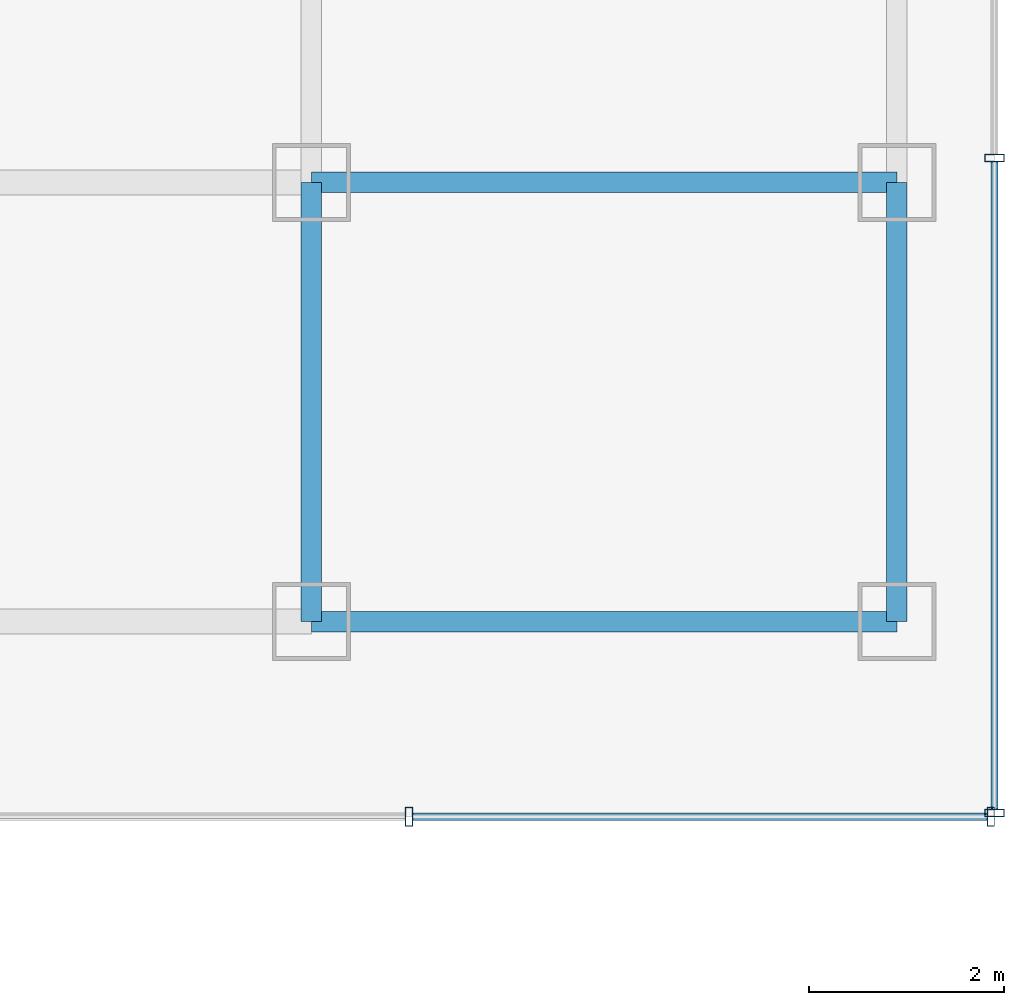
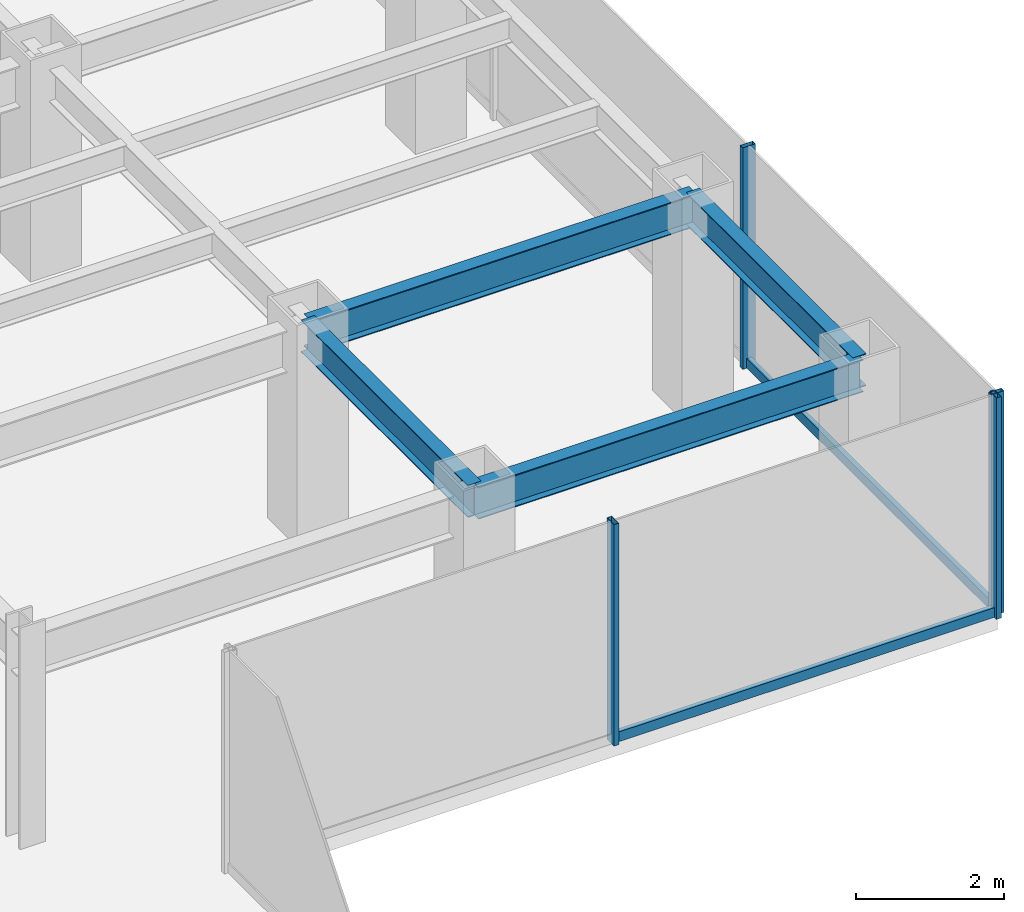
# One storey, part 10 of 26: 6 members, 4 beams, 2 elements without a shape of their own.
"""IFC4 building model written with IfcOpenShell, lengths in metres."""

from ifc_helpers import new_model, si_unit, derived_unit, direction, frame, origin, origin_2d, place, context, subcontext, project, spatial, hollow_rectangle, i_section, extrude, source, transform, mapped, material, material_profile, profile_set, type_object, element, aggregate, save


model = new_model("IFC4")

# Units and contexts
model_context = context("Model", 3, precision=1e-05, world=origin(), true_north=direction((0.0, 1.0)))
body_context = subcontext(model_context, "Body", "Model", "MODEL_VIEW")
ifc_project = project(units=[si_unit("LENGTHUNIT", "METRE"), si_unit("AREAUNIT", "SQUARE_METRE"), si_unit("VOLUMEUNIT", "CUBIC_METRE"), si_unit("PLANEANGLEUNIT", "RADIAN"), si_unit("MASSUNIT", "GRAM", prefix="KILO"), derived_unit("THERMALTRANSMITTANCEUNIT", [(si_unit("POWERUNIT", "WATT"), 1), (si_unit("LENGTHUNIT", "METRE"), -2), (si_unit("THERMODYNAMICTEMPERATUREUNIT", "KELVIN"), -1)])], contexts=[model_context])

# Site, building, storey
site_placement = place(None, origin())
site = spatial("IfcSite", under=ifc_project, at=site_placement, CompositionType="ELEMENT")
building_placement = place(site_placement, origin())
building = spatial("IfcBuilding", under=site, at=building_placement, Name="Skarnbrae Concourse Arena and Tower", CompositionType="ELEMENT")
storey_placement = place(building_placement, frame((0.0, 0.0, 128.800048828125)))
storey = spatial("IfcBuildingStorey", under=building, at=storey_placement, Name="L32", CompositionType="ELEMENT", Elevation=128.800048828125)

# Beams
ifc_material_1 = material(Name="Steel CSA G40.21 350W", Category="steel")
ifc_material_profile_1 = material_profile(ifc_material_1, i_section(OverallWidth=0.208984375, OverallDepth=0.532958984375, WebThickness=0.01025390625, FlangeThickness=0.015625, at=origin_2d()), Name="W530X92")
ifc_profile_set_1 = profile_set([ifc_material_profile_1], Name="Steel CSA G40.21 350W")
beam_type = type_object("IfcBeamType", Name="BM-SPAN-W530X92", PredefinedType="SPANDREL", material=ifc_profile_set_1)
shared_shape_1 = source(origin(), body_context, "Body", "SweptSolid", [
    extrude(i_section(OverallWidth=0.208984375, OverallDepth=0.532958984375, WebThickness=0.01025390625, FlangeThickness=0.015625, at=origin_2d()), origin(), (0.0, 0.0, 1.0), 6.0),
])
for number, where, z_axis, x_axis, name in (
    (1, (49.0, 9.5, 3.133544921875), (1.0, 0.0, 0.0), (0.0, 1.0, 0.0), "L32 Perimeter spandrel Y9.5-3"),
    (2, (49.0, 14.0, 3.133544921875), (1.0, 0.0, 0.0), (0.0, 1.0, 0.0), "L32 Perimeter spandrel Y14.0-8"),
):
    element("IfcBeam", number, at=place(storey_placement, frame(where, z_axis=z_axis, x_axis=x_axis)), inside=storey, type_object=beam_type, Name=name, PredefinedType="SPANDREL", context=body_context, shape_type="MappedRepresentation", body=[
        mapped(shared_shape_1, transform((0.0, 0.0, 0.0))),
    ])
shared_shape_2 = source(origin(), body_context, "Body", "SweptSolid", [
    extrude(i_section(OverallWidth=0.208984375, OverallDepth=0.532958984375, WebThickness=0.01025390625, FlangeThickness=0.015625, at=origin_2d()), origin(), (0.0, 0.0, 1.0), 4.5),
])
for number, where, z_axis, x_axis, name in (
    (3, (49.0, 9.5, 3.133544921875), (0.0, 1.0, 0.0), (-1.0, 0.0, 0.0), "L32 Perimeter spandrel X49.0-1"),
    (4, (55.0, 9.5, 3.133544921875), (0.0, 1.0, 0.0), (-1.0, 0.0, 0.0), "L32 Perimeter spandrel X55.0-1"),
):
    element("IfcBeam", number, at=place(storey_placement, frame(where, z_axis=z_axis, x_axis=x_axis)), inside=storey, type_object=beam_type, Name=name, PredefinedType="SPANDREL", context=body_context, shape_type="MappedRepresentation", body=[
        mapped(shared_shape_2, transform((0.0, 0.0, 0.0))),
    ])

# Curtain wall, members
ifc_material_2 = material(Name="Bronze anodised aluminium 6063-T6", Category="aluminium")
curtain_wall_type = type_object("IfcCurtainWallType", Name="CW-SYS-04-MIDZONE", PredefinedType="USERDEFINED", material=ifc_material_2)
curtain_wall_1_placement = place(storey_placement, origin())
curtain_wall_1 = element("IfcCurtainWall", 5, at=curtain_wall_1_placement, inside=storey, type_object=curtain_wall_type, Name="L32 Unitised curtain wall CW-L32-E03", ObjectType="UNITISED CURTAIN WALL", PredefinedType="USERDEFINED")
ifc_material_profile_2 = material_profile(ifc_material_2, hollow_rectangle(XDim=0.074951171875, YDim=0.159912109375, WallThickness=0.00439453125, at=origin_2d()), Name="ALU-TRAN-75X160")
ifc_profile_set_2 = profile_set([ifc_material_profile_2], Name="Bronze anodised aluminium 6063-T6")
member_type_1 = type_object("IfcMemberType", Name="CWT-CW-04", PredefinedType="USERDEFINED", material=ifc_profile_set_2)
shared_shape_3 = source(origin(), body_context, "Body", "SweptSolid", [
    extrude(hollow_rectangle(XDim=0.074951171875, YDim=0.159912109375, WallThickness=0.00439453125, at=origin_2d()), origin(), (0.0, 0.0, 1.0), 5.887451171875),
])
member_1_placement = place(storey_placement, frame((50.03759765625, 7.5, 0.079833984375), z_axis=(1.0, 0.0, 0.0), x_axis=(0.0, 1.0, 0.0)))
member_1 = element("IfcMember", 6, at=member_1_placement, type_object=member_type_1, Name="CW-L32-E03 Transom 2", ObjectType="TRANSOM", PredefinedType="USERDEFINED", context=body_context, shape_type="MappedRepresentation", body=[
    mapped(shared_shape_3, transform((0.0, 0.0, 0.0))),
])
ifc_material_profile_3 = material_profile(ifc_material_2, hollow_rectangle(XDim=0.074951171875, YDim=0.195068359375, WallThickness=0.00439453125, at=origin_2d()), Name="ALU-MULL-75X195")
ifc_profile_set_3 = profile_set([ifc_material_profile_3], Name="Bronze anodised aluminium 6063-T6")
member_type_2 = type_object("IfcMemberType", Name="CWM-CW-04", PredefinedType="MULLION", material=ifc_profile_set_3)
shared_shape_4 = source(origin(), body_context, "Body", "SweptSolid", [
    extrude(hollow_rectangle(XDim=0.074951171875, YDim=0.195068359375, WallThickness=0.00439453125, at=origin_2d()), origin(), (0.0, 0.0, 1.0), 3.64990234375),
])
member_2_placement = place(storey_placement, frame((50.0, 7.5, 0.0), z_axis=(0.0, 0.0, 1.0), x_axis=(1.0, 0.0, 0.0)))
member_2 = element("IfcMember", 7, at=member_2_placement, type_object=member_type_2, Name="CW-L32-E03 Mullion 2", PredefinedType="MULLION", context=body_context, shape_type="MappedRepresentation", body=[
    mapped(shared_shape_4, transform((0.0, 0.0, 0.0))),
])
member_3_placement = place(storey_placement, frame((55.96240234375, 7.5, 0.0), z_axis=(0.0, 0.0, 1.0), x_axis=(1.0, 0.0, 0.0)))
member_3 = element("IfcMember", 8, at=member_3_placement, type_object=member_type_2, Name="CW-L32-E03 Mullion 3", PredefinedType="MULLION", context=body_context, shape_type="MappedRepresentation", body=[
    mapped(shared_shape_4, transform((0.0, 0.0, 0.0))),
])
aggregate(curtain_wall_1, [member_2, member_3, member_1])

curtain_wall_2_placement = place(storey_placement, origin())
curtain_wall_2 = element("IfcCurtainWall", 9, at=curtain_wall_2_placement, inside=storey, type_object=curtain_wall_type, Name="L32 Unitised curtain wall CW-L32-E04", ObjectType="UNITISED CURTAIN WALL", PredefinedType="USERDEFINED")
member_4_placement = place(storey_placement, frame((56.0, 7.53759765625, 0.0), z_axis=(0.0, 0.0, 1.0), x_axis=(0.0, 1.0, 0.0)))
member_4 = element("IfcMember", 10, at=member_4_placement, type_object=member_type_2, Name="CW-L32-E04 Mullion 1", PredefinedType="MULLION", context=body_context, shape_type="MappedRepresentation", body=[
    mapped(shared_shape_4, transform((0.0, 0.0, 0.0))),
])
member_5_placement = place(storey_placement, frame((56.0, 14.25, 0.0), z_axis=(0.0, 0.0, 1.0), x_axis=(0.0, 1.0, 0.0)))
member_5 = element("IfcMember", 11, at=member_5_placement, type_object=member_type_2, Name="CW-L32-E04 Mullion 2", PredefinedType="MULLION", context=body_context, shape_type="MappedRepresentation", body=[
    mapped(shared_shape_4, transform((0.0, 0.0, 0.0))),
])
shared_shape_5 = source(origin(), body_context, "Body", "SweptSolid", [
    extrude(hollow_rectangle(XDim=0.074951171875, YDim=0.159912109375, WallThickness=0.00439453125, at=origin_2d()), origin(), (0.0, 0.0, 1.0), 6.637451171875),
])
member_6_placement = place(storey_placement, frame((56.0, 7.574951171875, 0.079833984375), z_axis=(0.0, 1.0, 0.0), x_axis=(-1.0, 0.0, 0.0)))
member_6 = element("IfcMember", 12, at=member_6_placement, type_object=member_type_1, Name="CW-L32-E04 Transom 1", ObjectType="TRANSOM", PredefinedType="USERDEFINED", context=body_context, shape_type="MappedRepresentation", body=[
    mapped(shared_shape_5, transform((0.0, 0.0, 0.0))),
])
aggregate(curtain_wall_2, [member_4, member_5, member_6])

save(model, "model.ifc")
